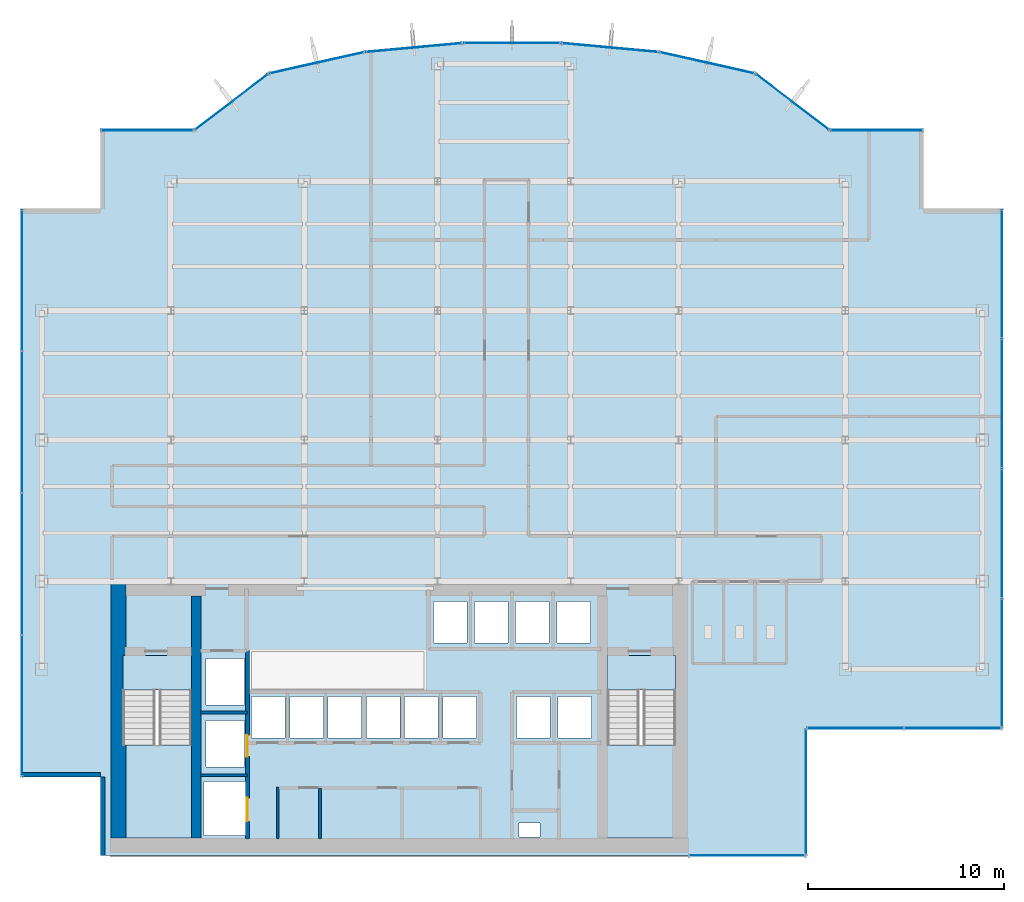
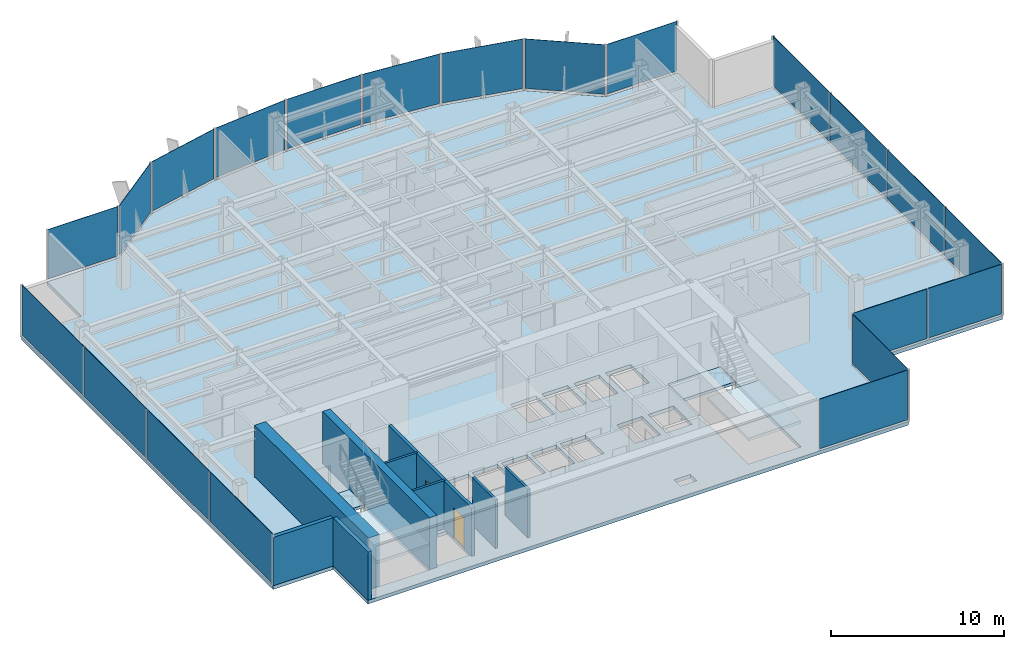
# One storey, part 19 of 25: 21 plates, 9 walls, 5 slabs, 2 doors, 2 openings, 16 elements without a shape of their own.
"""IFC4 building model written with IfcOpenShell, lengths in metres."""

from ifc_helpers import new_model, si_unit, derived_unit, direction, frame, frame_2d, origin, origin_2d, place, context, subcontext, project, spatial, polyline, rectangle, outline, extrude, source, transform, mapped, material, layer, layer_set, type_object, element, fill, aggregate, save


model = new_model("IFC4")

# Units and contexts
model_context = context("Model", 3, precision=1e-05, world=origin(), true_north=direction((0.0, 1.0)))
body_context = subcontext(model_context, "Body", "Model", "MODEL_VIEW")
ifc_project = project(units=[si_unit("LENGTHUNIT", "METRE"), si_unit("AREAUNIT", "SQUARE_METRE"), si_unit("VOLUMEUNIT", "CUBIC_METRE"), si_unit("PLANEANGLEUNIT", "RADIAN"), si_unit("MASSUNIT", "GRAM", prefix="KILO"), derived_unit("THERMALTRANSMITTANCEUNIT", [(si_unit("POWERUNIT", "WATT"), 1), (si_unit("LENGTHUNIT", "METRE"), -2), (si_unit("THERMODYNAMICTEMPERATUREUNIT", "KELVIN"), -1)])], contexts=[model_context])

# Site, building, storey
site_placement = place(None, origin())
site = spatial("IfcSite", under=ifc_project, at=site_placement, CompositionType="ELEMENT")
building_placement = place(site_placement, origin())
building = spatial("IfcBuilding", under=site, at=building_placement, Name="Skarnbrae Concourse Arena and Tower", CompositionType="ELEMENT")
storey_placement = place(building_placement, frame((0.0, 0.0, 177.10009765625)))
storey = spatial("IfcBuildingStorey", under=building, at=storey_placement, Name="L45", CompositionType="ELEMENT", Elevation=177.10009765625)

# Stair, slab
ifc_material_1 = material(Name="Concrete 40 MPa (C40/50)", Category="concrete")
stair_type = type_object("IfcStairType", Name="STAIR-DOGLEG-1650", PredefinedType="HALF_TURN_STAIR", material=ifc_material_1)
stair_1_placement = place(storey_placement, origin())
stair_1 = element("IfcStair", 1, at=stair_1_placement, inside=storey, type_object=stair_type, Name="L45 Protected Exit Stair ST-1", PredefinedType="HALF_TURN_STAIR")
ifc_layer_1 = layer(ifc_material_1, 0.199951171875)
ifc_layer_set_1 = layer_set([ifc_layer_1], Name="Concrete 40 MPa (C40/50)")
slab_type_1 = type_object("IfcSlabType", Name="SLAB-LANDING-200", PredefinedType="LANDING", material=ifc_layer_set_1)
slab_1_placement = place(storey_placement, frame((0.0, 0.0, 1.625)))
slab_1 = element("IfcSlab", 2, at=slab_1_placement, type_object=slab_type_1, Name="ST-1 landing 1", PredefinedType="LANDING", context=body_context, shape_type="SweptSolid", body=[
    extrude(outline(polyline([(5.14990234375, 5.64990234375), (5.14990234375, 0.89990234375), (8.64990234375, 0.89990234375), (8.64990234375, 5.64990234375), (5.14990234375, 5.64990234375)])), origin(), (0.0, 0.0, 1.0), 0.199951171875),
])
aggregate(stair_1, [slab_1])

stair_2_placement = place(storey_placement, origin())
stair_2 = element("IfcStair", 3, at=stair_2_placement, inside=storey, type_object=stair_type, Name="L45 Protected Exit Stair ST-2", PredefinedType="HALF_TURN_STAIR")
slab_2_placement = place(storey_placement, frame((0.0, 0.0, 1.625)))
slab_2 = element("IfcSlab", 4, at=slab_2_placement, type_object=slab_type_1, Name="ST-2 landing 1", PredefinedType="LANDING", context=body_context, shape_type="SweptSolid", body=[
    extrude(outline(polyline([(29.85009765625, 5.64990234375), (29.85009765625, 0.89990234375), (33.35009765625, 0.89990234375), (33.35009765625, 5.64990234375), (29.85009765625, 5.64990234375)])), origin(), (0.0, 0.0, 1.0), 0.199951171875),
])
aggregate(stair_2, [slab_2])

# Slabs
slab_3_placement = place(storey_placement, frame((0.0, 0.0, -0.2001953125)))
element("IfcSlab", 5, at=slab_3_placement, inside=storey, type_object=slab_type_1, Name="L45 Core stair ST1 floor landing", PredefinedType="LANDING", context=body_context, shape_type="SweptSolid", body=[
    extrude(outline(polyline([(5.14990234375, 10.199951171875), (5.14990234375, 8.449951171875), (8.64990234375, 8.449951171875), (8.64990234375, 10.199951171875), (5.14990234375, 10.199951171875)])), origin(), (0.0, 0.0, 1.0), 0.2001953125),
])
slab_4_placement = place(storey_placement, frame((0.0, 0.0, -0.2001953125)))
element("IfcSlab", 6, at=slab_4_placement, inside=storey, type_object=slab_type_1, Name="L45 Core stair ST2 floor landing", PredefinedType="LANDING", context=body_context, shape_type="SweptSolid", body=[
    extrude(outline(polyline([(29.85009765625, 10.199951171875), (29.85009765625, 8.449951171875), (33.35009765625, 8.449951171875), (33.35009765625, 10.199951171875), (29.85009765625, 10.199951171875)])), origin(), (0.0, 0.0, 1.0), 0.2001953125),
])
ifc_layer_2 = layer(ifc_material_1, 0.25)
ifc_layer_set_2 = layer_set([ifc_layer_2], Name="Concrete 40 MPa (C40/50)")
slab_type_2 = type_object("IfcSlabType", Name="SLAB-TOWER-250", PredefinedType="FLOOR", material=ifc_layer_set_2)
slab_5_placement = place(storey_placement, frame((0.0, 0.0, -0.25)))
element("IfcSlab", 7, at=slab_5_placement, inside=storey, type_object=slab_type_2, Name="L45 Structural floor slab", PredefinedType="FLOOR", context=body_context, shape_type="SweptSolid", body=[
    extrude(outline(polyline([(4.0, 0.0), (40.0, 0.0), (40.0, 6.5), (50.0, 6.5), (50.0, 33.0), (46.0, 33.0), (46.0, 37.0), (41.199951171875, 37.0), (37.409423828125, 39.892578125), (32.51220703125, 40.98681640625), (27.51123046875, 41.445556640625), (22.48876953125, 41.445556640625), (17.48779296875, 40.98681640625), (12.590576171875, 39.892578125), (8.800048828125, 37.0), (4.0, 37.0), (4.0, 33.0), (0.0, 33.0), (0.0, 4.0), (4.0, 4.0), (4.0, 0.0)]), holes=[polyline([(9.294921875, 3.780029296875), (11.455078125, 3.780029296875), (11.455078125, 1.02001953125), (9.294921875, 1.02001953125), (9.294921875, 3.780029296875)]), polyline([(8.64990234375, 10.199951171875), (8.64990234375, 0.89990234375), (5.14990234375, 0.89990234375), (5.14990234375, 10.199951171875), (8.64990234375, 10.199951171875)]), polyline([(9.39501953125, 6.8798828125), (11.35498046875, 6.8798828125), (11.35498046875, 4.52001953125), (9.39501953125, 4.52001953125), (9.39501953125, 6.8798828125)]), polyline([(11.719970703125, 8.10498046875), (13.429931640625, 8.10498046875), (13.429931640625, 5.9951171875), (11.719970703125, 5.9951171875), (11.719970703125, 8.10498046875)]), polyline([(13.669921875, 8.10498046875), (15.3798828125, 8.10498046875), (15.3798828125, 5.9951171875), (13.669921875, 5.9951171875), (13.669921875, 8.10498046875)]), polyline([(15.6201171875, 8.10498046875), (17.330078125, 8.10498046875), (17.330078125, 5.9951171875), (15.6201171875, 5.9951171875), (15.6201171875, 8.10498046875)]), polyline([(17.570068359375, 8.10498046875), (19.280029296875, 8.10498046875), (19.280029296875, 5.9951171875), (17.570068359375, 5.9951171875), (17.570068359375, 8.10498046875)]), polyline([(21.22998046875, 8.10498046875), (21.22998046875, 5.9951171875), (19.52001953125, 5.9951171875), (19.52001953125, 8.10498046875), (21.22998046875, 8.10498046875)]), polyline([(11.35498046875, 10.054931640625), (11.35498046875, 7.695068359375), (9.39501953125, 7.695068359375), (9.39501953125, 10.054931640625), (11.35498046875, 10.054931640625)]), polyline([(25.35009765625, 1.669921875), (26.43994140625, 1.669921875), (26.43994140625, 0.949951171875), (25.35009765625, 0.949951171875), (25.35009765625, 1.669921875)]), polyline([(33.35009765625, 10.199951171875), (33.35009765625, 0.89990234375), (29.85009765625, 0.89990234375), (29.85009765625, 10.199951171875), (33.35009765625, 10.199951171875)]), polyline([(21.469970703125, 8.10498046875), (23.179931640625, 8.10498046875), (23.179931640625, 5.9951171875), (21.469970703125, 5.9951171875), (21.469970703125, 8.10498046875)]), polyline([(25.235107421875, 8.10498046875), (26.945068359375, 8.10498046875), (26.945068359375, 5.9951171875), (25.235107421875, 5.9951171875), (25.235107421875, 8.10498046875)]), polyline([(27.3349609375, 8.10498046875), (29.044921875, 8.10498046875), (29.044921875, 5.9951171875), (27.3349609375, 5.9951171875), (27.3349609375, 8.10498046875)]), polyline([(20.985107421875, 12.955078125), (22.695068359375, 12.955078125), (22.695068359375, 10.844970703125), (20.985107421875, 10.844970703125), (20.985107421875, 12.955078125)]), polyline([(23.0849609375, 12.955078125), (24.794921875, 12.955078125), (24.794921875, 10.844970703125), (23.0849609375, 10.844970703125), (23.0849609375, 12.955078125)]), polyline([(26.89501953125, 12.955078125), (26.89501953125, 10.844970703125), (25.18505859375, 10.844970703125), (25.18505859375, 12.955078125), (26.89501953125, 12.955078125)]), polyline([(28.9951171875, 12.955078125), (28.9951171875, 10.844970703125), (27.284912109375, 10.844970703125), (27.284912109375, 12.955078125), (28.9951171875, 12.955078125)])]), origin(), (0.0, 0.0, 1.0), 0.25),
])

# Curtain wall, plates
ifc_material_2 = material(Name="Bronze anodised aluminium 6063-T6", Category="aluminium")
curtain_wall_type = type_object("IfcCurtainWallType", Name="CW-SYS-04-MIDZONE", PredefinedType="USERDEFINED", material=ifc_material_2)
curtain_wall_1_placement = place(storey_placement, origin())
curtain_wall_1 = element("IfcCurtainWall", 8, at=curtain_wall_1_placement, inside=storey, type_object=curtain_wall_type, Name="L45 Unitised curtain wall CW-L45-E03", ObjectType="UNITISED CURTAIN WALL", PredefinedType="USERDEFINED")
ifc_material_3 = material(Name="Low-E triple insulating glass", Category="glass")
ifc_layer_3 = layer(ifc_material_3, 0.031982421875)
ifc_layer_set_3 = layer_set([ifc_layer_3], Name="Low-E triple insulating glass")
plate_type = type_object("IfcPlateType", Name="CWP-CW-04", PredefinedType="CURTAIN_PANEL", material=ifc_layer_set_3)
shared_shape_1 = source(origin(), body_context, "Body", "SweptSolid", [
    extrude(rectangle(XDim=4.887451171875, YDim=0.031982421875, at=origin_2d()), origin(), (0.0, 0.0, 1.0), 3.489990234375),
])
plate_1_placement = place(storey_placement, frame((42.518798828125, 6.5, 0.15966796875), z_axis=(0.0, 0.0, 1.0), x_axis=(1.0, 0.0, 0.0)))
plate_1 = element("IfcPlate", 9, at=plate_1_placement, type_object=plate_type, Name="CW-L45-E03 Low-E Glazing Panel 1", PredefinedType="CURTAIN_PANEL", context=body_context, shape_type="MappedRepresentation", body=[
    mapped(shared_shape_1, transform((0.0, 0.0, 0.0))),
])
plate_2_placement = place(storey_placement, frame((47.481201171875, 6.5, 0.15966796875), z_axis=(0.0, 0.0, 1.0), x_axis=(1.0, 0.0, 0.0)))
plate_2 = element("IfcPlate", 10, at=plate_2_placement, type_object=plate_type, Name="CW-L45-E03 Low-E Glazing Panel 2", PredefinedType="CURTAIN_PANEL", context=body_context, shape_type="MappedRepresentation", body=[
    mapped(shared_shape_1, transform((0.0, 0.0, 0.0))),
])
aggregate(curtain_wall_1, [plate_1, plate_2])

# Curtain wall, plate
curtain_wall_2_placement = place(storey_placement, origin())
curtain_wall_2 = element("IfcCurtainWall", 11, at=curtain_wall_2_placement, inside=storey, type_object=curtain_wall_type, Name="L45 Unitised curtain wall CW-L45-SE-SPINE", ObjectType="UNITISED CURTAIN WALL", PredefinedType="USERDEFINED")
shared_shape_2 = source(origin(), body_context, "Body", "SweptSolid", [
    extrude(rectangle(XDim=5.85009765625, YDim=0.031982421875, at=origin_2d()), origin(), (0.0, 0.0, 1.0), 3.489990234375),
])
plate_3_placement = place(storey_placement, frame((37.0, 0.0, 0.15966796875), z_axis=(0.0, 0.0, 1.0), x_axis=(1.0, 0.0, 0.0)))
plate_3 = element("IfcPlate", 12, at=plate_3_placement, type_object=plate_type, Name="CW-L45-SE-SPINE Low-E Glazing Panel 1", PredefinedType="CURTAIN_PANEL", context=body_context, shape_type="MappedRepresentation", body=[
    mapped(shared_shape_2, transform((0.0, 0.0, 0.0))),
])
aggregate(curtain_wall_2, [plate_3])

curtain_wall_3_placement = place(storey_placement, origin())
curtain_wall_3 = element("IfcCurtainWall", 13, at=curtain_wall_3_placement, inside=storey, type_object=curtain_wall_type, Name="L45 Unitised curtain wall CW-L45-E02", ObjectType="UNITISED CURTAIN WALL", PredefinedType="USERDEFINED")
shared_shape_3 = source(origin(), body_context, "Body", "SweptSolid", [
    extrude(rectangle(XDim=6.35009765625, YDim=0.031982421875, at=origin_2d()), origin(), (0.0, 0.0, 1.0), 3.489990234375),
])
plate_4_placement = place(storey_placement, frame((40.0, 3.25, 0.15966796875), z_axis=(0.0, 0.0, 1.0), x_axis=(0.0, 1.0, 0.0)))
plate_4 = element("IfcPlate", 14, at=plate_4_placement, type_object=plate_type, Name="CW-L45-E02 Low-E Glazing Panel 1", PredefinedType="CURTAIN_PANEL", context=body_context, shape_type="MappedRepresentation", body=[
    mapped(shared_shape_3, transform((0.0, 0.0, 0.0))),
])
aggregate(curtain_wall_3, [plate_4])

curtain_wall_4_placement = place(storey_placement, origin())
curtain_wall_4 = element("IfcCurtainWall", 15, at=curtain_wall_4_placement, inside=storey, type_object=curtain_wall_type, Name="L45 Unitised curtain wall CW-L45-E07", ObjectType="UNITISED CURTAIN WALL", PredefinedType="USERDEFINED")
shared_shape_4 = source(origin(), body_context, "Body", "SweptSolid", [
    extrude(rectangle(XDim=4.64990234375, YDim=0.031982421875, at=origin_2d()), origin(), (0.0, 0.0, 1.0), 3.489990234375),
])
plate_5_placement = place(storey_placement, frame((43.60009765625, 37.0, 0.15966796875), z_axis=(0.0, 0.0, 1.0), x_axis=(-1.0, 0.0, 0.0)))
plate_5 = element("IfcPlate", 16, at=plate_5_placement, type_object=plate_type, Name="CW-L45-E07 Low-E Glazing Panel 1", PredefinedType="CURTAIN_PANEL", context=body_context, shape_type="MappedRepresentation", body=[
    mapped(shared_shape_4, transform((0.0, 0.0, 0.0))),
])
aggregate(curtain_wall_4, [plate_5])

curtain_wall_5_placement = place(storey_placement, origin())
curtain_wall_5 = element("IfcCurtainWall", 17, at=curtain_wall_5_placement, inside=storey, type_object=curtain_wall_type, Name="L45 Unitised curtain wall CW-L45-E15", ObjectType="UNITISED CURTAIN WALL", PredefinedType="USERDEFINED")
plate_6_placement = place(storey_placement, frame((6.39990234375, 37.0, 0.15966796875), z_axis=(0.0, 0.0, 1.0), x_axis=(-1.0, 0.0, 0.0)))
plate_6 = element("IfcPlate", 18, at=plate_6_placement, type_object=plate_type, Name="CW-L45-E15 Low-E Glazing Panel 1", PredefinedType="CURTAIN_PANEL", context=body_context, shape_type="MappedRepresentation", body=[
    mapped(shared_shape_4, transform((0.0, 0.0, 0.0))),
])
aggregate(curtain_wall_5, [plate_6])

curtain_wall_6_placement = place(storey_placement, origin())
curtain_wall_6 = element("IfcCurtainWall", 19, at=curtain_wall_6_placement, inside=storey, type_object=curtain_wall_type, Name="L45 Unitised curtain wall CW-L45-E08", ObjectType="UNITISED CURTAIN WALL", PredefinedType="USERDEFINED")
shared_shape_5 = source(origin(), body_context, "Body", "SweptSolid", [
    extrude(rectangle(XDim=4.6181640625, YDim=0.031982421875, at=origin_2d()), origin(), (0.0, 0.0, 1.0), 3.489990234375),
])
plate_7_placement = place(storey_placement, frame((39.3046875, 38.4462890625, 0.15966796875), z_axis=(0.0, 0.0, 1.0), x_axis=(-0.794956000706, 0.606667089054, 0.0)))
plate_7 = element("IfcPlate", 20, at=plate_7_placement, type_object=plate_type, Name="CW-L45-E08 Low-E Glazing Panel 1", PredefinedType="CURTAIN_PANEL", context=body_context, shape_type="MappedRepresentation", body=[
    mapped(shared_shape_5, transform((0.0, 0.0, 0.0))),
])
aggregate(curtain_wall_6, [plate_7])

curtain_wall_7_placement = place(storey_placement, origin())
curtain_wall_7 = element("IfcCurtainWall", 21, at=curtain_wall_7_placement, inside=storey, type_object=curtain_wall_type, Name="L45 Unitised curtain wall CW-L45-E14", ObjectType="UNITISED CURTAIN WALL", PredefinedType="USERDEFINED")
plate_8_placement = place(storey_placement, frame((10.6953125, 38.4462890625, 0.15966796875), z_axis=(0.0, 0.0, 1.0), x_axis=(-0.794956000706, -0.606667089054, 0.0)))
plate_8 = element("IfcPlate", 22, at=plate_8_placement, type_object=plate_type, Name="CW-L45-E14 Low-E Glazing Panel 1", PredefinedType="CURTAIN_PANEL", context=body_context, shape_type="MappedRepresentation", body=[
    mapped(shared_shape_5, transform((0.0, 0.0, 0.0))),
])
aggregate(curtain_wall_7, [plate_8])

curtain_wall_8_placement = place(storey_placement, origin())
curtain_wall_8 = element("IfcCurtainWall", 23, at=curtain_wall_8_placement, inside=storey, type_object=curtain_wall_type, Name="L45 Unitised curtain wall CW-L45-E09", ObjectType="UNITISED CURTAIN WALL", PredefinedType="USERDEFINED")
shared_shape_6 = source(origin(), body_context, "Body", "SweptSolid", [
    extrude(rectangle(XDim=4.867919921875, YDim=0.031982421875, at=origin_2d()), origin(), (0.0, 0.0, 1.0), 3.489990234375),
])
plate_9_placement = place(storey_placement, frame((34.9609375, 40.439697265625, 0.15966796875), z_axis=(0.0, 0.0, 1.0), x_axis=(-0.975936175393, 0.218056372433, 0.0)))
plate_9 = element("IfcPlate", 24, at=plate_9_placement, type_object=plate_type, Name="CW-L45-E09 Low-E Glazing Panel 1", PredefinedType="CURTAIN_PANEL", context=body_context, shape_type="MappedRepresentation", body=[
    mapped(shared_shape_6, transform((0.0, 0.0, 0.0))),
])
aggregate(curtain_wall_8, [plate_9])

curtain_wall_9_placement = place(storey_placement, origin())
curtain_wall_9 = element("IfcCurtainWall", 25, at=curtain_wall_9_placement, inside=storey, type_object=curtain_wall_type, Name="L45 Unitised curtain wall CW-L45-E13", ObjectType="UNITISED CURTAIN WALL", PredefinedType="USERDEFINED")
plate_10_placement = place(storey_placement, frame((15.0390625, 40.439697265625, 0.15966796875), z_axis=(0.0, 0.0, 1.0), x_axis=(-0.975936175393, -0.218056372433, 0.0)))
plate_10 = element("IfcPlate", 26, at=plate_10_placement, type_object=plate_type, Name="CW-L45-E13 Low-E Glazing Panel 1", PredefinedType="CURTAIN_PANEL", context=body_context, shape_type="MappedRepresentation", body=[
    mapped(shared_shape_6, transform((0.0, 0.0, 0.0))),
])
aggregate(curtain_wall_9, [plate_10])

curtain_wall_10_placement = place(storey_placement, origin())
curtain_wall_10 = element("IfcCurtainWall", 27, at=curtain_wall_10_placement, inside=storey, type_object=curtain_wall_type, Name="L45 Unitised curtain wall CW-L45-E10", ObjectType="UNITISED CURTAIN WALL", PredefinedType="USERDEFINED")
shared_shape_7 = source(origin(), body_context, "Body", "SweptSolid", [
    extrude(rectangle(XDim=4.8720703125, YDim=0.031982421875, at=origin_2d()), origin(), (0.0, 0.0, 1.0), 3.489990234375),
])
plate_11_placement = place(storey_placement, frame((30.01171875, 41.21630859375, 0.15966796875), z_axis=(0.0, 0.0, 1.0), x_axis=(-0.995819926016, 0.091338244731, 0.0)))
plate_11 = element("IfcPlate", 28, at=plate_11_placement, type_object=plate_type, Name="CW-L45-E10 Low-E Glazing Panel 1", PredefinedType="CURTAIN_PANEL", context=body_context, shape_type="MappedRepresentation", body=[
    mapped(shared_shape_7, transform((0.0, 0.0, 0.0))),
])
aggregate(curtain_wall_10, [plate_11])

curtain_wall_11_placement = place(storey_placement, origin())
curtain_wall_11 = element("IfcCurtainWall", 29, at=curtain_wall_11_placement, inside=storey, type_object=curtain_wall_type, Name="L45 Unitised curtain wall CW-L45-E12", ObjectType="UNITISED CURTAIN WALL", PredefinedType="USERDEFINED")
plate_12_placement = place(storey_placement, frame((19.98828125, 41.21630859375, 0.15966796875), z_axis=(0.0, 0.0, 1.0), x_axis=(-0.995819926016, -0.091338244731, 0.0)))
plate_12 = element("IfcPlate", 30, at=plate_12_placement, type_object=plate_type, Name="CW-L45-E12 Low-E Glazing Panel 1", PredefinedType="CURTAIN_PANEL", context=body_context, shape_type="MappedRepresentation", body=[
    mapped(shared_shape_7, transform((0.0, 0.0, 0.0))),
])
aggregate(curtain_wall_11, [plate_12])

curtain_wall_12_placement = place(storey_placement, origin())
curtain_wall_12 = element("IfcCurtainWall", 31, at=curtain_wall_12_placement, inside=storey, type_object=curtain_wall_type, Name="L45 Unitised curtain wall CW-L45-E11", ObjectType="UNITISED CURTAIN WALL", PredefinedType="USERDEFINED")
shared_shape_8 = source(origin(), body_context, "Body", "SweptSolid", [
    extrude(rectangle(XDim=4.87255859375, YDim=0.031982421875, at=origin_2d()), origin(), (0.0, 0.0, 1.0), 3.489990234375),
])
plate_13_placement = place(storey_placement, frame((25.0, 41.445556640625, 0.15966796875), z_axis=(0.0, 0.0, 1.0), x_axis=(-1.0, 0.0, 0.0)))
plate_13 = element("IfcPlate", 32, at=plate_13_placement, type_object=plate_type, Name="CW-L45-E11 Low-E Glazing Panel 1", PredefinedType="CURTAIN_PANEL", context=body_context, shape_type="MappedRepresentation", body=[
    mapped(shared_shape_8, transform((0.0, 0.0, 0.0))),
])
aggregate(curtain_wall_12, [plate_13])

# Curtain wall, plates
curtain_wall_13_placement = place(storey_placement, origin())
curtain_wall_13 = element("IfcCurtainWall", 33, at=curtain_wall_13_placement, inside=storey, type_object=curtain_wall_type, Name="L45 Unitised curtain wall CW-L45-E18", ObjectType="UNITISED CURTAIN WALL", PredefinedType="USERDEFINED")
shared_shape_9 = source(origin(), body_context, "Body", "SweptSolid", [
    extrude(rectangle(XDim=7.137451171875, YDim=0.031982421875, at=origin_2d()), origin(), (0.0, 0.0, 1.0), 3.489990234375),
])
plate_14_placement = place(storey_placement, frame((0.0, 29.356201171875, 0.15966796875), z_axis=(0.0, 0.0, 1.0), x_axis=(0.0, -1.0, 0.0)))
plate_14 = element("IfcPlate", 34, at=plate_14_placement, type_object=plate_type, Name="CW-L45-E18 Low-E Glazing Panel 1", PredefinedType="CURTAIN_PANEL", context=body_context, shape_type="MappedRepresentation", body=[
    mapped(shared_shape_9, transform((0.0, 0.0, 0.0))),
])
plate_15_placement = place(storey_placement, frame((0.0, 7.643798828125, 0.15966796875), z_axis=(0.0, 0.0, 1.0), x_axis=(0.0, -1.0, 0.0)))
plate_15 = element("IfcPlate", 35, at=plate_15_placement, type_object=plate_type, Name="CW-L45-E18 Low-E Glazing Panel 4", PredefinedType="CURTAIN_PANEL", context=body_context, shape_type="MappedRepresentation", body=[
    mapped(shared_shape_9, transform((0.0, 0.0, 0.0))),
])
shared_shape_10 = source(origin(), body_context, "Body", "SweptSolid", [
    extrude(rectangle(XDim=7.175048828125, YDim=0.031982421875, at=origin_2d()), origin(), (0.0, 0.0, 1.0), 3.489990234375),
])
plate_16_placement = place(storey_placement, frame((0.0, 22.125, 0.15966796875), z_axis=(0.0, 0.0, 1.0), x_axis=(0.0, -1.0, 0.0)))
plate_16 = element("IfcPlate", 36, at=plate_16_placement, type_object=plate_type, Name="CW-L45-E18 Low-E Glazing Panel 2", PredefinedType="CURTAIN_PANEL", context=body_context, shape_type="MappedRepresentation", body=[
    mapped(shared_shape_10, transform((0.0, 0.0, 0.0))),
])
plate_17_placement = place(storey_placement, frame((0.0, 14.875, 0.15966796875), z_axis=(0.0, 0.0, 1.0), x_axis=(0.0, -1.0, 0.0)))
plate_17 = element("IfcPlate", 37, at=plate_17_placement, type_object=plate_type, Name="CW-L45-E18 Low-E Glazing Panel 3", PredefinedType="CURTAIN_PANEL", context=body_context, shape_type="MappedRepresentation", body=[
    mapped(shared_shape_10, transform((0.0, 0.0, 0.0))),
])
aggregate(curtain_wall_13, [plate_14, plate_16, plate_17, plate_15])

curtain_wall_14_placement = place(storey_placement, origin())
curtain_wall_14 = element("IfcCurtainWall", 38, at=curtain_wall_14_placement, inside=storey, type_object=curtain_wall_type, Name="L45 Unitised curtain wall CW-L45-E04", ObjectType="UNITISED CURTAIN WALL", PredefinedType="USERDEFINED")
shared_shape_11 = source(origin(), body_context, "Body", "SweptSolid", [
    extrude(rectangle(XDim=6.512451171875, YDim=0.031982421875, at=origin_2d()), origin(), (0.0, 0.0, 1.0), 3.489990234375),
])
plate_18_placement = place(storey_placement, frame((50.0, 9.831298828125, 0.15966796875), z_axis=(0.0, 0.0, 1.0), x_axis=(0.0, 1.0, 0.0)))
plate_18 = element("IfcPlate", 39, at=plate_18_placement, type_object=plate_type, Name="CW-L45-E04 Low-E Glazing Panel 1", PredefinedType="CURTAIN_PANEL", context=body_context, shape_type="MappedRepresentation", body=[
    mapped(shared_shape_11, transform((0.0, 0.0, 0.0))),
])
plate_19_placement = place(storey_placement, frame((50.0, 29.668701171875, 0.15966796875), z_axis=(0.0, 0.0, 1.0), x_axis=(0.0, 1.0, 0.0)))
plate_19 = element("IfcPlate", 40, at=plate_19_placement, type_object=plate_type, Name="CW-L45-E04 Low-E Glazing Panel 4", PredefinedType="CURTAIN_PANEL", context=body_context, shape_type="MappedRepresentation", body=[
    mapped(shared_shape_11, transform((0.0, 0.0, 0.0))),
])
shared_shape_12 = source(origin(), body_context, "Body", "SweptSolid", [
    extrude(rectangle(XDim=6.550048828125, YDim=0.031982421875, at=origin_2d()), origin(), (0.0, 0.0, 1.0), 3.489990234375),
])
plate_20_placement = place(storey_placement, frame((50.0, 16.4375, 0.15966796875), z_axis=(0.0, 0.0, 1.0), x_axis=(0.0, 1.0, 0.0)))
plate_20 = element("IfcPlate", 41, at=plate_20_placement, type_object=plate_type, Name="CW-L45-E04 Low-E Glazing Panel 2", PredefinedType="CURTAIN_PANEL", context=body_context, shape_type="MappedRepresentation", body=[
    mapped(shared_shape_12, transform((0.0, 0.0, 0.0))),
])
plate_21_placement = place(storey_placement, frame((50.0, 23.0625, 0.15966796875), z_axis=(0.0, 0.0, 1.0), x_axis=(0.0, 1.0, 0.0)))
plate_21 = element("IfcPlate", 42, at=plate_21_placement, type_object=plate_type, Name="CW-L45-E04 Low-E Glazing Panel 3", PredefinedType="CURTAIN_PANEL", context=body_context, shape_type="MappedRepresentation", body=[
    mapped(shared_shape_12, transform((0.0, 0.0, 0.0))),
])
aggregate(curtain_wall_14, [plate_18, plate_20, plate_21, plate_19])

# Walls
ifc_material_4 = material(Name="Concrete 60 MPa (C60/75)", Category="concrete")
ifc_layer_4 = layer(ifc_material_4, 0.75)
ifc_layer_set_4 = layer_set([ifc_layer_4], Name="Concrete 60 MPa (C60/75)")
wall_type_1 = type_object("IfcWallType", Name="WALL-CORE-750-C60", PredefinedType="SHEAR", material=ifc_layer_set_4)
shared_shape_13 = source(origin(), body_context, "Body", "SweptSolid", [
    extrude(rectangle(XDim=13.10009765625, YDim=0.75, at=frame_2d((6.550048828125, 0.0))), origin(), (0.0, 0.0, 1.0), 3.64990234375),
])
wall_1_placement = place(storey_placement, frame((4.925048828125, 0.89990234375, 0.0), z_axis=(0.0, 0.0, 1.0), x_axis=(0.0, 1.0, 0.0)))
element("IfcWall", 43, at=wall_1_placement, inside=storey, type_object=wall_type_1, Name="L45 Rear core shear wall CW-W", PredefinedType="SHEAR", context=body_context, shape_type="MappedRepresentation", body=[
    mapped(shared_shape_13, transform((0.0, 0.0, 0.0))),
])
ifc_layer_5 = layer(ifc_material_4, 0.5)
ifc_layer_set_5 = layer_set([ifc_layer_5], Name="Concrete 60 MPa (C60/75)")
wall_type_2 = type_object("IfcWallType", Name="WALL-CORE-500-C60", PredefinedType="SHEAR", material=ifc_layer_set_5)
shared_shape_14 = source(origin(), body_context, "Body", "SweptSolid", [
    extrude(rectangle(XDim=12.35009765625, YDim=0.5, at=frame_2d((6.175048828125, 0.0))), origin(), (0.0, 0.0, 1.0), 3.64990234375),
])
wall_2_placement = place(storey_placement, frame((8.889892578125, 0.89990234375, 0.0), z_axis=(0.0, 0.0, 1.0), x_axis=(0.0, 1.0, 0.0)))
element("IfcWall", 44, at=wall_2_placement, inside=storey, type_object=wall_type_2, Name="L45 Rear core shear wall CW-WEB-W", PredefinedType="SHEAR", context=body_context, shape_type="MappedRepresentation", body=[
    mapped(shared_shape_14, transform((0.0, 0.0, 0.0))),
])
ifc_material_5 = material(Name="Precast concrete 40 MPa (C40/50)", Category="concrete")
ifc_layer_6 = layer(ifc_material_5, 0.25)
ifc_layer_set_6 = layer_set([ifc_layer_6], Name="Precast concrete 40 MPa (C40/50)")
wall_type_3 = type_object("IfcWallType", Name="WALL-EXT-SPANDREL-250", PredefinedType="STANDARD", material=ifc_layer_set_6)
shared_shape_15 = source(origin(), body_context, "Body", "SweptSolid", [
    extrude(rectangle(XDim=4.0, YDim=0.25, at=frame_2d((2.0, 0.0))), origin(), (0.0, 0.0, 1.0), 3.39990234375),
])
for number, where, z_axis, x_axis, name in (
    (45, (0.0, 4.125, 0.0), (0.0, 0.0, 1.0), (1.0, 0.0, 0.0), "L45 Notched corner insulated return wall 19"),
    (46, (4.125, 4.0, 0.0), (0.0, 0.0, 1.0), (0.0, -1.0, 0.0), "L45 Notched corner insulated return wall 20"),
):
    element("IfcWall", number, at=place(storey_placement, frame(where, z_axis=z_axis, x_axis=x_axis)), inside=storey, type_object=wall_type_3, Name=name, PredefinedType="STANDARD", context=body_context, shape_type="MappedRepresentation", body=[
        mapped(shared_shape_15, transform((0.0, 0.0, 0.0))),
    ])

# Wall, openings, doors
ifc_material_6 = material(Name="Gypsum board on cold-formed steel studs", Category="steel")
ifc_layer_7 = layer(ifc_material_6, 0.199951171875)
ifc_layer_set_7 = layer_set([ifc_layer_7], Name="Gypsum board on cold-formed steel studs")
wall_type_4 = type_object("IfcWallType", Name="WALL-PART-200-2HR", PredefinedType="PARTITIONING", material=ifc_layer_set_7)
shared_shape_16 = source(origin(), body_context, "Body", "SweptSolid", [
    extrude(rectangle(XDim=9.599853515625, YDim=0.199951171875, at=frame_2d((4.7998046875, 0.0))), origin(), (0.0, 0.0, 1.0), 3.39990234375),
])
wall_3_placement = place(storey_placement, frame((11.5, 0.85009765625, 0.0), z_axis=(0.0, 0.0, 1.0), x_axis=(0.0, 1.0, 0.0)))
wall_3 = element("IfcWall", 47, at=wall_3_placement, inside=storey, type_object=wall_type_4, Name="L45 Interior partition wall W-L45-FL-E", PredefinedType="PARTITIONING", context=body_context, shape_type="MappedRepresentation", body=[
    mapped(shared_shape_16, transform((0.0, 0.0, 0.0))),
])
opening_1_placement = place(wall_3_placement, frame((4.199951171875, 0.0, 0.0)))
opening_1 = element("IfcOpeningElement", 48, at=opening_1_placement, cuts=wall_3, Name="Opening LD-01", PredefinedType="OPENING", context=body_context, shape_type="SweptSolid", body=[
    extrude(rectangle(XDim=1.10009765625, YDim=2.14990234375, at=frame_2d((0.550048828125, 1.074951171875))), frame((0.0, 0.10986328125, 0.0), z_axis=(0.0, -1.0, 0.0), x_axis=(1.0, 0.0, 0.0)), (0.0, 0.0, 1.0), 0.219970703125),
])
opening_2_placement = place(wall_3_placement, frame((0.89990234375, 0.0, 0.0)))
opening_2 = element("IfcOpeningElement", 49, at=opening_2_placement, cuts=wall_3, Name="Opening LD-02", PredefinedType="OPENING", context=body_context, shape_type="SweptSolid", body=[
    extrude(rectangle(XDim=1.199951171875, YDim=2.14990234375, at=frame_2d((0.60009765625, 1.074951171875))), frame((0.0, 0.10986328125, 0.0), z_axis=(0.0, -1.0, 0.0), x_axis=(1.0, 0.0, 0.0)), (0.0, 0.0, 1.0), 0.219970703125),
])
ifc_material_7 = material(Name="Steel CSA G40.21 350W", Category="steel")
door_type_1 = type_object("IfcDoorType", Name="DOOR-LIFT-SLIDE-1100", OperationType="SLIDING_TO_LEFT", PredefinedType="DOOR", material=ifc_material_7)
shared_shape_17 = source(origin(), body_context, "Body", "SweptSolid", [
    extrude(rectangle(XDim=1.10009765625, YDim=2.14990234375, at=frame_2d((0.550048828125, 1.074951171875))), frame((0.0, 0.02490234375, 0.0), z_axis=(0.0, -1.0, 0.0), x_axis=(1.0, 0.0, 0.0)), (0.0, 0.0, 1.0), 0.050048828125),
])
door_1_placement = place(opening_1_placement, frame((1.10009765625, 0.0, 0.0), z_axis=(0.0, 0.0, 1.0), x_axis=(-1.0, 0.0, 0.0)))
door_1 = element("IfcDoor", 50, at=door_1_placement, inside=storey, type_object=door_type_1, Name="D-1385 Firefighting Lift Landing Door FL-02", OperationType="SLIDING_TO_LEFT", OverallHeight=2.14990234375, OverallWidth=1.10009765625, PredefinedType="DOOR", context=body_context, shape_type="MappedRepresentation", body=[
    mapped(shared_shape_17, transform((0.0, 0.0, 0.0))),
])
fill(opening_1, door_1)
door_type_2 = type_object("IfcDoorType", Name="DOOR-LIFT-SLIDE-1200", OperationType="SLIDING_TO_LEFT", PredefinedType="DOOR", material=ifc_material_7)
shared_shape_18 = source(origin(), body_context, "Body", "SweptSolid", [
    extrude(rectangle(XDim=1.199951171875, YDim=2.14990234375, at=frame_2d((0.60009765625, 1.074951171875))), frame((0.0, 0.02490234375, 0.0), z_axis=(0.0, -1.0, 0.0), x_axis=(1.0, 0.0, 0.0)), (0.0, 0.0, 1.0), 0.050048828125),
])
door_2_placement = place(opening_2_placement, frame((1.199951171875, 0.0, 0.0), z_axis=(0.0, 0.0, 1.0), x_axis=(-1.0, 0.0, 0.0)))
door_2 = element("IfcDoor", 51, at=door_2_placement, inside=storey, type_object=door_type_2, Name="D-1386 Service Lift Landing Door SV-01", OperationType="SLIDING_TO_LEFT", OverallHeight=2.14990234375, OverallWidth=1.199951171875, PredefinedType="DOOR", context=body_context, shape_type="MappedRepresentation", body=[
    mapped(shared_shape_18, transform((0.0, 0.0, 0.0))),
])
fill(opening_2, door_2)

# Walls
ifc_layer_8 = layer(ifc_material_6, 0.14990234375)
ifc_layer_set_8 = layer_set([ifc_layer_8], Name="Gypsum board on cold-formed steel studs")
wall_type_5 = type_object("IfcWallType", Name="WALL-PART-150", PredefinedType="PARTITIONING", material=ifc_layer_set_8)
shared_shape_19 = source(origin(), body_context, "Body", "SweptSolid", [
    extrude(rectangle(XDim=2.39990234375, YDim=0.14990234375, at=frame_2d((1.199951171875, 0.0))), origin(), (0.0, 0.0, 1.0), 3.39990234375),
])
for number, where, z_axis, x_axis, name in (
    (52, (9.10009765625, 4.10009765625, 0.0), (0.0, 0.0, 1.0), (1.0, 0.0, 0.0), "L45 Interior partition wall W-L45-FL-D1"),
    (53, (9.10009765625, 7.300048828125, 0.0), (0.0, 0.0, 1.0), (1.0, 0.0, 0.0), "L45 Interior partition wall W-L45-FL-D2"),
):
    element("IfcWall", number, at=place(storey_placement, frame(where, z_axis=z_axis, x_axis=x_axis)), inside=storey, type_object=wall_type_5, Name=name, PredefinedType="PARTITIONING", context=body_context, shape_type="MappedRepresentation", body=[
        mapped(shared_shape_19, transform((0.0, 0.0, 0.0))),
    ])
shared_shape_20 = source(origin(), body_context, "Body", "SweptSolid", [
    extrude(rectangle(XDim=2.599853515625, YDim=0.14990234375, at=frame_2d((1.2998046875, 0.0))), origin(), (0.0, 0.0, 1.0), 3.39990234375),
])
wall_4_placement = place(storey_placement, frame((15.199951171875, 0.85009765625, 0.0), z_axis=(0.0, 0.0, 1.0), x_axis=(0.0, 1.0, 0.0)))
element("IfcWall", 54, at=wall_4_placement, inside=storey, type_object=wall_type_5, Name="L45 Interior partition wall W-L45-B1M-C1", PredefinedType="PARTITIONING", context=body_context, shape_type="MappedRepresentation", body=[
    mapped(shared_shape_20, transform((0.0, 0.0, 0.0))),
])
ifc_layer_9 = layer(ifc_material_6, 0.14990234375)
ifc_layer_set_9 = layer_set([ifc_layer_9], Name="Gypsum board on cold-formed steel studs")
wall_type_6 = type_object("IfcWallType", Name="WALL-PART-150-1HR", PredefinedType="PARTITIONING", material=ifc_layer_set_9)
shared_shape_21 = source(origin(), body_context, "Body", "SweptSolid", [
    extrude(rectangle(XDim=2.64990234375, YDim=0.14990234375, at=frame_2d((1.324951171875, 0.0))), origin(), (0.0, 0.0, 1.0), 3.39990234375),
])
wall_5_placement = place(storey_placement, frame((13.050048828125, 0.85009765625, 0.0), z_axis=(0.0, 0.0, 1.0), x_axis=(0.0, 1.0, 0.0)))
element("IfcWall", 55, at=wall_5_placement, inside=storey, type_object=wall_type_6, Name="L45 Interior partition wall W-L45-B1M-W", PredefinedType="PARTITIONING", context=body_context, shape_type="MappedRepresentation", body=[
    mapped(shared_shape_21, transform((0.0, 0.0, 0.0))),
])

save(model, "model.ifc")
